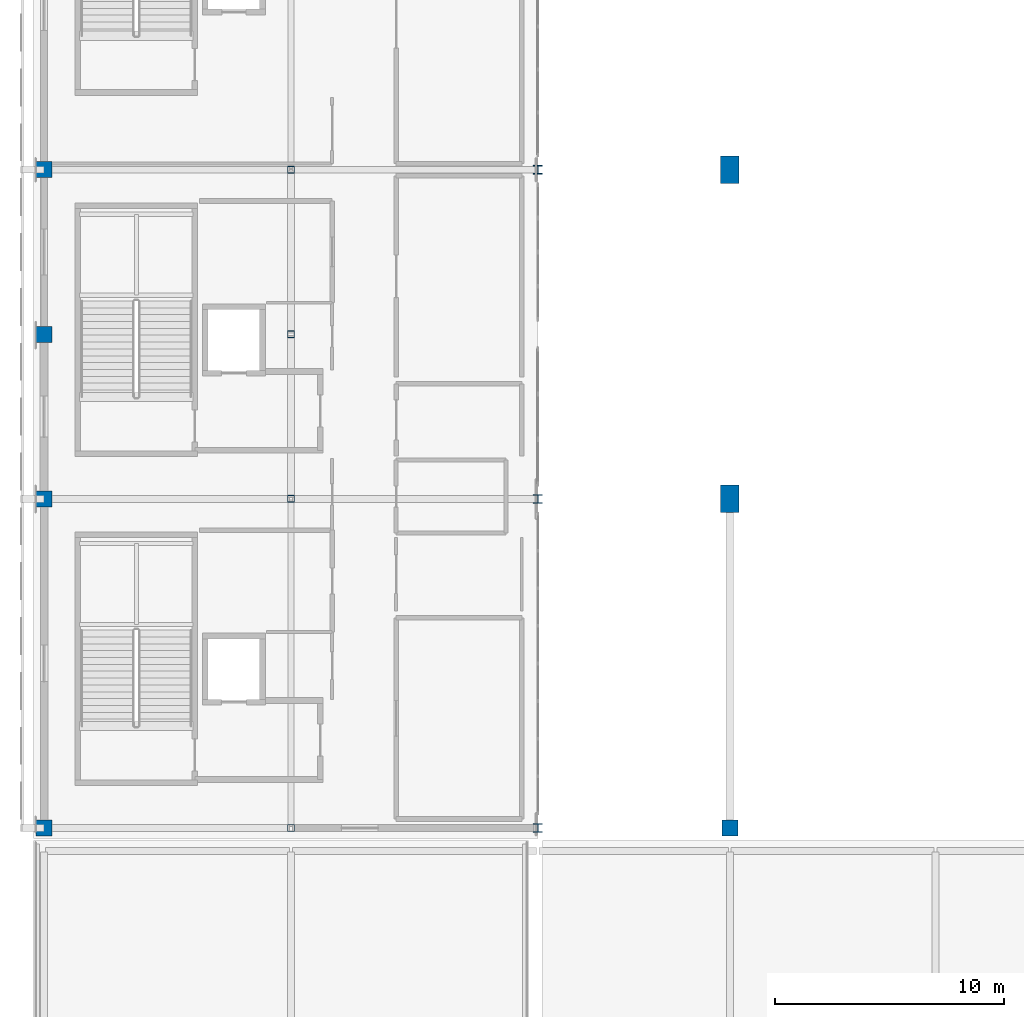
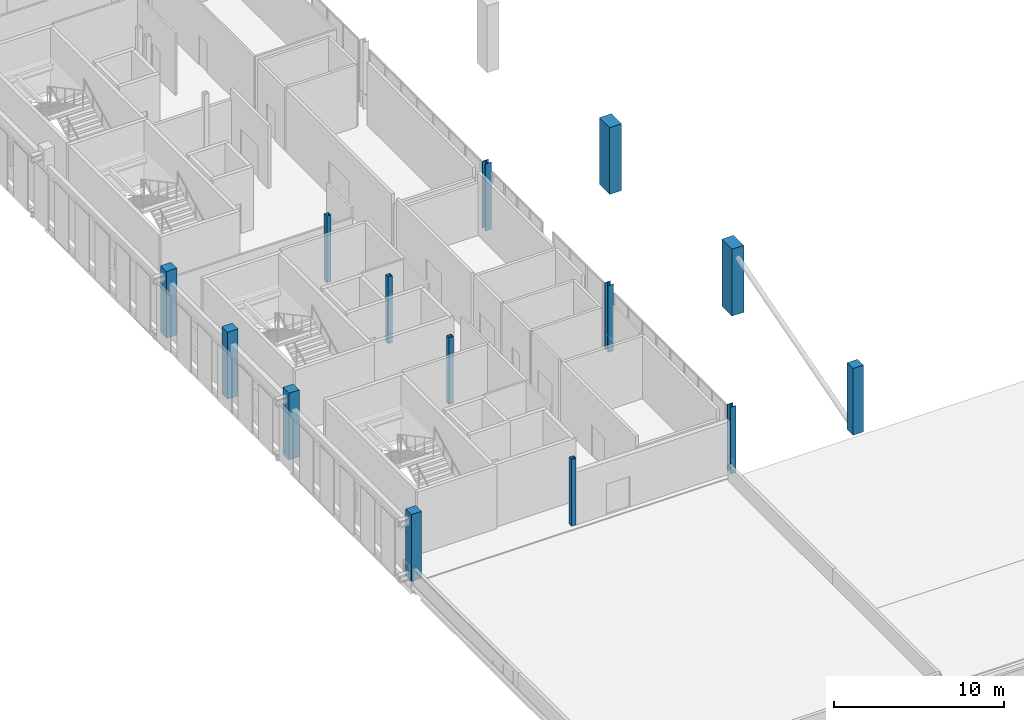
# One storey, part 1 of 51: 14 columns.
"""IFC4 building model written with IfcOpenShell, lengths in metres."""

from ifc_helpers import new_model, si_unit, direction, frame, origin, origin_2d, place, context, subcontext, project, spatial, rectangle, hollow_rectangle, i_section, extrude, material, material_profile, profile_set, type_object, element, save


model = new_model("IFC4")

# Units and contexts
model_context = context("Model", 3, precision=1e-05, world=origin(), true_north=direction((0.0, 1.0)))
body_context = subcontext(model_context, "Body", "Model", "MODEL_VIEW")
ifc_project = project(units=[si_unit("LENGTHUNIT", "METRE"), si_unit("AREAUNIT", "SQUARE_METRE"), si_unit("VOLUMEUNIT", "CUBIC_METRE"), si_unit("PLANEANGLEUNIT", "RADIAN"), si_unit("MASSUNIT", "GRAM", prefix="KILO")], contexts=[model_context])

# Site, building, storey
site_placement = place(None, origin())
site = spatial("IfcSite", under=ifc_project, at=site_placement, CompositionType="ELEMENT")
building_placement = place(site_placement, origin())
building = spatial("IfcBuilding", under=site, at=building_placement, Name="Koshinbarg Plaza Stadium", CompositionType="ELEMENT")
storey_placement = place(building_placement, frame((0.0, 0.0, 24.60009765625)))
storey = spatial("IfcBuildingStorey", under=building, at=storey_placement, Name="L05", CompositionType="ELEMENT", Elevation=24.60009765625)

# Columns
ifc_material_1 = material(Name="Concrete C40/50", Category="concrete")
ifc_material_profile_1 = material_profile(ifc_material_1, rectangle(XDim=0.699951171875, YDim=0.699951171875, at=origin_2d()), Name="RC 700x700")
ifc_profile_set_1 = profile_set([ifc_material_profile_1], Name="Concrete C40/50")
column_type_1 = type_object("IfcColumnType", Name="COL-RC-06", PredefinedType="COLUMN", material=ifc_profile_set_1)
for number, where, z_axis, x_axis, name in (
    (1, (24.60009765625, 25.5, 0.0), (0.0, 0.0, 1.0), (1.0, 0.0, 0.0), "L05 column 5/E"),
    (2, (24.60009765625, 39.89990234375, 0.0), (0.0, 0.0, 1.0), (1.0, 0.0, 0.0), "L05 column 5/F"),
    (3, (24.60009765625, 47.10009765625, 0.0), (0.0, 0.0, 1.0), (1.0, 0.0, 0.0), "L05 column 5/G"),
    (4, (24.60009765625, 54.300048828125, 0.0), (0.0, 0.0, 1.0), (1.0, 0.0, 0.0), "L05 column 5/H"),
    (5, (54.60009765625, 25.5, 0.0), (0.0, 0.0, 1.0), (1.0, 0.0, 0.0), "L05 column 8/E"),
):
    element("IfcColumn", number, at=place(storey_placement, frame(where, z_axis=z_axis, x_axis=x_axis)), inside=storey, type_object=column_type_1, Name=name, PredefinedType="COLUMN", context=body_context, shape_type="SweptSolid", body=[
        extrude(rectangle(XDim=0.699951171875, YDim=0.699951171875, at=origin_2d()), origin(), (0.0, 0.0, 1.0), 4.7998046875),
    ])
ifc_material_profile_2 = material_profile(ifc_material_1, rectangle(XDim=0.800048828125, YDim=1.199951171875, at=origin_2d()), Name="RC 800x1200")
ifc_profile_set_2 = profile_set([ifc_material_profile_2], Name="Concrete C40/50")
column_type_2 = type_object("IfcColumnType", Name="COL-RC-14", PredefinedType="COLUMN", material=ifc_profile_set_2)
for number, where, z_axis, x_axis, name in (
    (6, (54.60009765625, 39.89990234375, 0.0), (0.0, 0.0, 1.0), (1.0, 0.0, 0.0), "L05 column 8/F"),
    (7, (54.60009765625, 54.300048828125, 0.0), (0.0, 0.0, 1.0), (1.0, 0.0, 0.0), "L05 column 8/H"),
):
    element("IfcColumn", number, at=place(storey_placement, frame(where, z_axis=z_axis, x_axis=x_axis)), inside=storey, type_object=column_type_2, Name=name, PredefinedType="COLUMN", context=body_context, shape_type="SweptSolid", body=[
        extrude(rectangle(XDim=0.800048828125, YDim=1.199951171875, at=origin_2d()), origin(), (0.0, 0.0, 1.0), 4.7998046875),
    ])
ifc_material_2 = material(Name="Steel S355", Category="steel")
ifc_material_profile_3 = material_profile(ifc_material_2, i_section(OverallWidth=0.39501953125, OverallDepth=0.3798828125, WebThickness=0.018798828125, FlangeThickness=0.0302734375, at=origin_2d()), Name="HD 400x237")
ifc_profile_set_3 = profile_set([ifc_material_profile_3], Name="Steel S355")
column_type_3 = type_object("IfcColumnType", Name="COL-STL-01", PredefinedType="COLUMN", material=ifc_profile_set_3)
for number, where, z_axis, x_axis, name in (
    (8, (46.199951171875, 25.5, 0.0), (0.0, 0.0, 1.0), (1.0, 0.0, 0.0), "L05 column 7/E"),
    (9, (46.199951171875, 39.89990234375, 0.0), (0.0, 0.0, 1.0), (1.0, 0.0, 0.0), "L05 column 7/F"),
    (10, (46.199951171875, 54.300048828125, 0.0), (0.0, 0.0, 1.0), (1.0, 0.0, 0.0), "L05 column 7/H"),
):
    element("IfcColumn", number, at=place(storey_placement, frame(where, z_axis=z_axis, x_axis=x_axis)), inside=storey, type_object=column_type_3, Name=name, PredefinedType="COLUMN", context=body_context, shape_type="SweptSolid", body=[
        extrude(i_section(OverallWidth=0.39501953125, OverallDepth=0.3798828125, WebThickness=0.018798828125, FlangeThickness=0.0302734375, at=origin_2d()), origin(), (0.0, 0.0, 1.0), 4.7998046875),
    ])
ifc_material_profile_4 = material_profile(ifc_material_2, hollow_rectangle(XDim=0.300048828125, YDim=0.300048828125, WallThickness=0.01611328125, at=origin_2d()), Name="SHS 300x300x16")
ifc_profile_set_4 = profile_set([ifc_material_profile_4], Name="Steel S355")
column_type_4 = type_object("IfcColumnType", Name="COL-STL-06", PredefinedType="COLUMN", material=ifc_profile_set_4)
for number, where, z_axis, x_axis, name in (
    (11, (35.39990234375, 25.5, 0.0), (0.0, 0.0, 1.0), (1.0, 0.0, 0.0), "L05 column 6/E"),
    (12, (35.39990234375, 39.89990234375, 0.0), (0.0, 0.0, 1.0), (1.0, 0.0, 0.0), "L05 column 6/F"),
    (13, (35.39990234375, 47.10009765625, 0.0), (0.0, 0.0, 1.0), (1.0, 0.0, 0.0), "L05 column 6/G"),
    (14, (35.39990234375, 54.300048828125, 0.0), (0.0, 0.0, 1.0), (1.0, 0.0, 0.0), "L05 column 6/H"),
):
    element("IfcColumn", number, at=place(storey_placement, frame(where, z_axis=z_axis, x_axis=x_axis)), inside=storey, type_object=column_type_4, Name=name, PredefinedType="COLUMN", context=body_context, shape_type="SweptSolid", body=[
        extrude(hollow_rectangle(XDim=0.300048828125, YDim=0.300048828125, WallThickness=0.01611328125, at=origin_2d()), origin(), (0.0, 0.0, 1.0), 4.7998046875),
    ])

save(model, "model.ifc")
